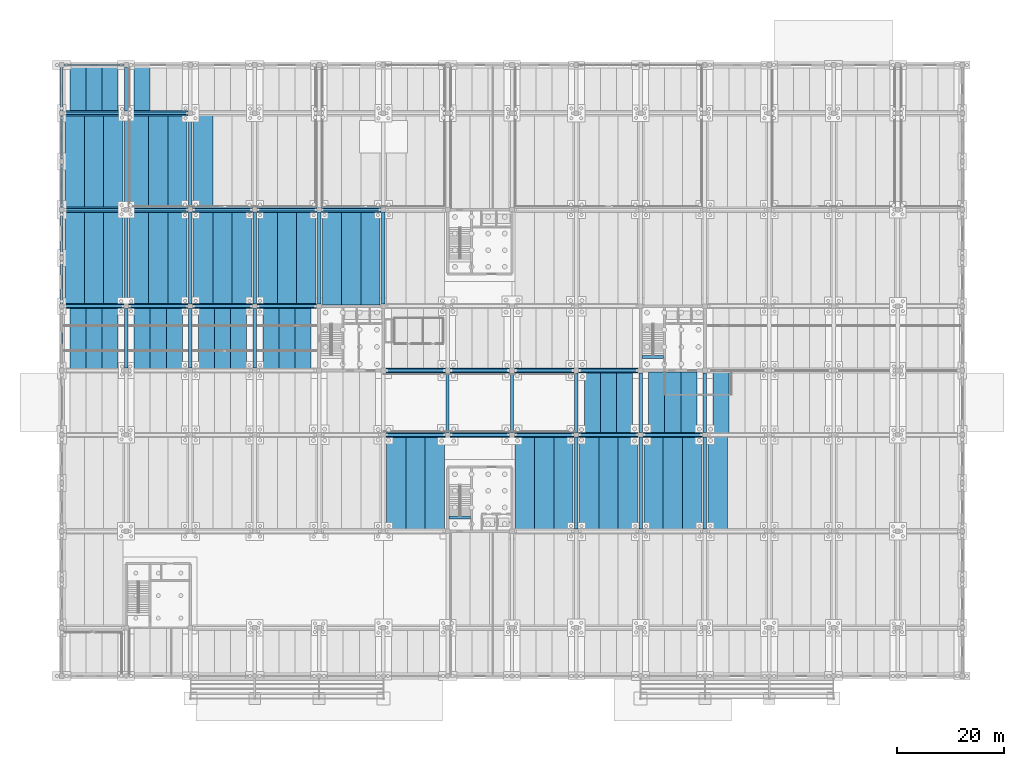
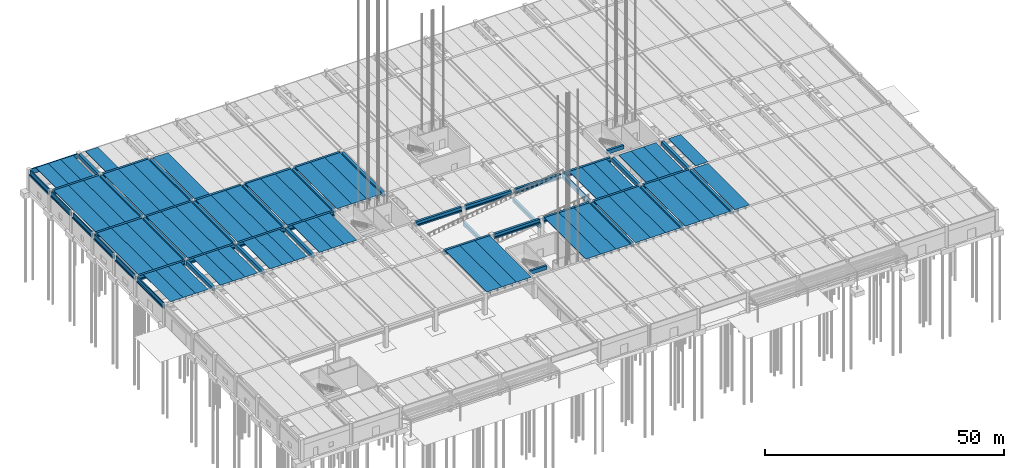
# One storey, part 14 of 59: 106 beams.
"""IFC4 building model written with IfcOpenShell, lengths in metres."""

from ifc_helpers import new_model, si_unit, direction, frame, origin, origin_2d, place, context, subcontext, project, spatial, polyline, rectangle, outline, extrude, material, material_profile, profile_set, type_object, element, save


model = new_model("IFC4")

# Units and contexts
model_context = context("Model", 3, precision=1e-05, world=origin(), true_north=direction((0.0, 1.0)))
body_context = subcontext(model_context, "Body", "Model", "MODEL_VIEW")
ifc_project = project(units=[si_unit("LENGTHUNIT", "METRE"), si_unit("AREAUNIT", "SQUARE_METRE"), si_unit("VOLUMEUNIT", "CUBIC_METRE"), si_unit("PLANEANGLEUNIT", "RADIAN"), si_unit("MASSUNIT", "GRAM", prefix="KILO")], contexts=[model_context])

# Site, building, storey
site_placement = place(None, origin())
site = spatial("IfcSite", under=ifc_project, at=site_placement, CompositionType="ELEMENT")
building_placement = place(site_placement, origin())
building = spatial("IfcBuilding", under=site, at=building_placement, Name="Girod Span Mobility Hub", CompositionType="ELEMENT")
storey_placement = place(building_placement, origin())
storey = spatial("IfcBuildingStorey", under=building, at=storey_placement, Name="L00", CompositionType="ELEMENT", Elevation=0.0)

# Beams
ifc_material_1 = material(Name="Concrete C50/60", Category="concrete")
ifc_material_profile_1 = material_profile(ifc_material_1, outline(polyline([(-1.5, 0.35009765625), (-1.5, 0.2548828125), (-0.840087890625, 0.2548828125), (-0.81494140625, -0.35009765625), (-0.68505859375, -0.35009765625), (-0.659912109375, 0.2548828125), (0.659912109375, 0.2548828125), (0.68505859375, -0.35009765625), (0.81494140625, -0.35009765625), (0.840087890625, 0.2548828125), (1.5, 0.2548828125), (1.5, 0.35009765625), (-1.5, 0.35009765625)])), Name="DT-3000X700")
ifc_profile_set_1 = profile_set([ifc_material_profile_1], Name="Concrete C50/60")
beam_type_1 = type_object("IfcBeamType", Name="BM-DT-3000X700", PredefinedType="JOIST", material=ifc_profile_set_1)
for number, where, z_axis, x_axis, name in (
    (1, (3.0, 57.27197265625, 4.85009765625), (0.0, 1.0, 0.0), (-1.0, 0.0, 0.0), "Double-Tee Deck 1/E-1 L00"),
    (2, (6.0, 57.27197265625, 4.85009765625), (0.0, 1.0, 0.0), (-1.0, 0.0, 0.0), "Double-Tee Deck 1/E-2 L00"),
    (3, (9.0, 57.27197265625, 4.85009765625), (0.0, 1.0, 0.0), (-1.0, 0.0, 0.0), "Double-Tee Deck 1/E-3 L00"),
):
    element("IfcBeam", number, at=place(storey_placement, frame(where, z_axis=z_axis, x_axis=x_axis)), inside=storey, type_object=beam_type_1, Name=name, PredefinedType="JOIST", context=body_context, shape_type="SweptSolid", body=[
        extrude(outline(polyline([(-1.5, 0.35009765625), (-1.5, 0.2548828125), (-0.840087890625, 0.2548828125), (-0.81494140625, -0.35009765625), (-0.68505859375, -0.35009765625), (-0.659912109375, 0.2548828125), (0.659912109375, 0.2548828125), (0.68505859375, -0.35009765625), (0.81494140625, -0.35009765625), (0.840087890625, 0.2548828125), (1.5, 0.2548828125), (1.5, 0.35009765625), (-1.5, 0.35009765625)])), origin(), (0.0, 0.0, 1.0), 11.4560546875),
    ])
for number, where, z_axis, x_axis, name in (
    (4, (3.0, 105.27197265625, 4.85009765625), (0.0, 1.0, 0.0), (-1.0, 0.0, 0.0), "Double-Tee Deck 1/H-1 L00"),
    (5, (6.0, 105.27197265625, 4.85009765625), (0.0, 1.0, 0.0), (-1.0, 0.0, 0.0), "Double-Tee Deck 1/H-2 L00"),
    (6, (9.0, 105.27197265625, 4.85009765625), (0.0, 1.0, 0.0), (-1.0, 0.0, 0.0), "Double-Tee Deck 1/H-3 L00"),
):
    element("IfcBeam", number, at=place(storey_placement, frame(where, z_axis=z_axis, x_axis=x_axis)), inside=storey, type_object=beam_type_1, Name=name, PredefinedType="JOIST", context=body_context, shape_type="SweptSolid", body=[
        extrude(outline(polyline([(-1.5, 0.35009765625), (-1.5, 0.2548828125), (-0.840087890625, 0.2548828125), (-0.81494140625, -0.35009765625), (-0.68505859375, -0.35009765625), (-0.659912109375, 0.2548828125), (0.659912109375, 0.2548828125), (0.68505859375, -0.35009765625), (0.81494140625, -0.35009765625), (0.840087890625, 0.2548828125), (1.5, 0.2548828125), (1.5, 0.35009765625), (-1.5, 0.35009765625)])), origin(), (0.0, 0.0, 1.0), 8.506103515625),
    ])
for number, where, z_axis, x_axis, name in (
    (7, (15.0, 57.27197265625, 4.85009765625), (0.0, 1.0, 0.0), (-1.0, 0.0, 0.0), "Double-Tee Deck 2/E-1 L00"),
    (8, (18.0, 57.27197265625, 4.85009765625), (0.0, 1.0, 0.0), (-1.0, 0.0, 0.0), "Double-Tee Deck 2/E-2 L00"),
    (9, (21.0, 57.27197265625, 4.85009765625), (0.0, 1.0, 0.0), (-1.0, 0.0, 0.0), "Double-Tee Deck 2/E-3 L00"),
):
    element("IfcBeam", number, at=place(storey_placement, frame(where, z_axis=z_axis, x_axis=x_axis)), inside=storey, type_object=beam_type_1, Name=name, PredefinedType="JOIST", context=body_context, shape_type="SweptSolid", body=[
        extrude(outline(polyline([(-1.5, 0.35009765625), (-1.5, 0.2548828125), (-0.840087890625, 0.2548828125), (-0.81494140625, -0.35009765625), (-0.68505859375, -0.35009765625), (-0.659912109375, 0.2548828125), (0.659912109375, 0.2548828125), (0.68505859375, -0.35009765625), (0.81494140625, -0.35009765625), (0.840087890625, 0.2548828125), (1.5, 0.2548828125), (1.5, 0.35009765625), (-1.5, 0.35009765625)])), origin(), (0.0, 0.0, 1.0), 11.4560546875),
    ])
beam_1_placement = place(storey_placement, frame((15.0, 105.27197265625, 4.85009765625), z_axis=(0.0, 1.0, 0.0), x_axis=(-1.0, 0.0, 0.0)))
element("IfcBeam", 10, at=beam_1_placement, inside=storey, type_object=beam_type_1, Name="Double-Tee Deck 2/H-1 L00", PredefinedType="JOIST", context=body_context, shape_type="SweptSolid", body=[
    extrude(outline(polyline([(-1.5, 0.35009765625), (-1.5, 0.2548828125), (-0.840087890625, 0.2548828125), (-0.81494140625, -0.35009765625), (-0.68505859375, -0.35009765625), (-0.659912109375, 0.2548828125), (0.659912109375, 0.2548828125), (0.68505859375, -0.35009765625), (0.81494140625, -0.35009765625), (0.840087890625, 0.2548828125), (1.5, 0.2548828125), (1.5, 0.35009765625), (-1.5, 0.35009765625)])), origin(), (0.0, 0.0, 1.0), 8.506103515625),
])
for number, where, z_axis, x_axis, name in (
    (11, (27.0, 57.27197265625, 4.85009765625), (0.0, 1.0, 0.0), (-1.0, 0.0, 0.0), "Double-Tee Deck 3/E-1 L00"),
    (12, (30.0, 57.27197265625, 4.85009765625), (0.0, 1.0, 0.0), (-1.0, 0.0, 0.0), "Double-Tee Deck 3/E-2 L00"),
    (13, (33.0, 57.27197265625, 4.85009765625), (0.0, 1.0, 0.0), (-1.0, 0.0, 0.0), "Double-Tee Deck 3/E-3 L00"),
    (14, (39.0, 57.27197265625, 4.85009765625), (0.0, 1.0, 0.0), (-1.0, 0.0, 0.0), "Double-Tee Deck 4/E-1 L00"),
    (15, (42.0, 57.27197265625, 4.85009765625), (0.0, 1.0, 0.0), (-1.0, 0.0, 0.0), "Double-Tee Deck 4/E-2 L00"),
    (16, (45.0, 57.27197265625, 4.85009765625), (0.0, 1.0, 0.0), (-1.0, 0.0, 0.0), "Double-Tee Deck 4/E-3 L00"),
    (17, (99.0, 45.27197265625, 4.85009765625), (0.0, 1.0, 0.0), (-1.0, 0.0, 0.0), "Double-Tee Deck 9/D-1 L00"),
    (18, (102.0, 45.27197265625, 4.85009765625), (0.0, 1.0, 0.0), (-1.0, 0.0, 0.0), "Double-Tee Deck 9/D-2 L00"),
    (19, (105.0, 45.27197265625, 4.85009765625), (0.0, 1.0, 0.0), (-1.0, 0.0, 0.0), "Double-Tee Deck 9/D-3 L00"),
):
    element("IfcBeam", number, at=place(storey_placement, frame(where, z_axis=z_axis, x_axis=x_axis)), inside=storey, type_object=beam_type_1, Name=name, PredefinedType="JOIST", context=body_context, shape_type="SweptSolid", body=[
        extrude(outline(polyline([(-1.5, 0.35009765625), (-1.5, 0.2548828125), (-0.840087890625, 0.2548828125), (-0.81494140625, -0.35009765625), (-0.68505859375, -0.35009765625), (-0.659912109375, 0.2548828125), (0.659912109375, 0.2548828125), (0.68505859375, -0.35009765625), (0.81494140625, -0.35009765625), (0.840087890625, 0.2548828125), (1.5, 0.2548828125), (1.5, 0.35009765625), (-1.5, 0.35009765625)])), origin(), (0.0, 0.0, 1.0), 11.4560546875),
    ])
for number, where, z_axis, x_axis, name in (
    (20, (111.0, 45.27197265625, 4.85009765625), (0.0, 1.0, 0.0), (-1.0, 0.0, 0.0), "Double-Tee Deck 10/D-1 L00"),
    (21, (114.0, 45.27197265625, 4.85009765625), (0.0, 1.0, 0.0), (-1.0, 0.0, 0.0), "Double-Tee Deck 10/D-2 L00"),
    (22, (117.0, 45.27197265625, 4.85009765625), (0.0, 1.0, 0.0), (-1.0, 0.0, 0.0), "Double-Tee Deck 10/D-3 L00"),
):
    element("IfcBeam", number, at=place(storey_placement, frame(where, z_axis=z_axis, x_axis=x_axis)), inside=storey, type_object=beam_type_1, Name=name, PredefinedType="JOIST", context=body_context, shape_type="SweptSolid", body=[
        extrude(outline(polyline([(-1.5, 0.35009765625), (-1.5, 0.2548828125), (-0.840087890625, 0.2548828125), (-0.81494140625, -0.35009765625), (-0.68505859375, -0.35009765625), (-0.659912109375, 0.2548828125), (0.659912109375, 0.2548828125), (0.68505859375, -0.35009765625), (0.81494140625, -0.35009765625), (0.840087890625, 0.2548828125), (1.5, 0.2548828125), (1.5, 0.35009765625), (-1.5, 0.35009765625)])), origin(), (0.0, 0.0, 1.0), 11.48095703125),
    ])
beam_2_placement = place(storey_placement, frame((123.0, 45.27197265625, 4.85009765625), z_axis=(0.0, 1.0, 0.0), x_axis=(-1.0, 0.0, 0.0)))
element("IfcBeam", 23, at=beam_2_placement, inside=storey, type_object=beam_type_1, Name="Double-Tee Deck 11/D-1 L00", PredefinedType="JOIST", context=body_context, shape_type="SweptSolid", body=[
    extrude(outline(polyline([(-1.5, 0.35009765625), (-1.5, 0.2548828125), (-0.840087890625, 0.2548828125), (-0.81494140625, -0.35009765625), (-0.68505859375, -0.35009765625), (-0.659912109375, 0.2548828125), (0.659912109375, 0.2548828125), (0.68505859375, -0.35009765625), (0.81494140625, -0.35009765625), (0.840087890625, 0.2548828125), (1.5, 0.2548828125), (1.5, 0.35009765625), (-1.5, 0.35009765625)])), origin(), (0.0, 0.0, 1.0), 11.4560546875),
])
ifc_material_2 = material(Name="Concrete C50/60", Category="concrete")
ifc_material_profile_2 = material_profile(ifc_material_2, outline(polyline([(-1.800048828125, 0.47509765625), (-1.800048828125, 0.364990234375), (-1.010009765625, 0.364990234375), (-0.97509765625, -0.47509765625), (-0.824951171875, -0.47509765625), (-0.7900390625, 0.364990234375), (0.7900390625, 0.364990234375), (0.824951171875, -0.47509765625), (0.97509765625, -0.47509765625), (1.010009765625, 0.364990234375), (1.800048828125, 0.364990234375), (1.800048828125, 0.47509765625), (-1.800048828125, 0.47509765625)])), Name="DT-3600X950")
ifc_profile_set_2 = profile_set([ifc_material_profile_2], Name="Concrete C50/60")
beam_type_2 = type_object("IfcBeamType", Name="BM-DT-3600X950", PredefinedType="JOIST", material=ifc_profile_set_2)
for number, where, z_axis, x_axis, name in (
    (24, (2.39990234375, 69.27197265625, 4.72509765625), (0.0, 1.0, 0.0), (-1.0, 0.0, 0.0), "Double-Tee Deck 1/F-1 L00"),
    (25, (6.0, 69.27197265625, 4.72509765625), (0.0, 1.0, 0.0), (-1.0, 0.0, 0.0), "Double-Tee Deck 1/F-2 L00"),
    (26, (9.60009765625, 69.27197265625, 4.72509765625), (0.0, 1.0, 0.0), (-1.0, 0.0, 0.0), "Double-Tee Deck 1/F-3 L00"),
    (27, (2.39990234375, 87.27197265625, 4.72509765625), (0.0, 1.0, 0.0), (-1.0, 0.0, 0.0), "Double-Tee Deck 1/G-1 L00"),
    (28, (6.0, 87.27197265625, 4.72509765625), (0.0, 1.0, 0.0), (-1.0, 0.0, 0.0), "Double-Tee Deck 1/G-2 L00"),
    (29, (9.60009765625, 87.27197265625, 4.72509765625), (0.0, 1.0, 0.0), (-1.0, 0.0, 0.0), "Double-Tee Deck 1/G-3 L00"),
    (30, (14.39990234375, 69.27197265625, 4.72509765625), (0.0, 1.0, 0.0), (-1.0, 0.0, 0.0), "Double-Tee Deck 2/F-1 L00"),
    (31, (18.0, 69.27197265625, 4.72509765625), (0.0, 1.0, 0.0), (-1.0, 0.0, 0.0), "Double-Tee Deck 2/F-2 L00"),
    (32, (21.60009765625, 69.27197265625, 4.72509765625), (0.0, 1.0, 0.0), (-1.0, 0.0, 0.0), "Double-Tee Deck 2/F-3 L00"),
    (33, (14.39990234375, 87.27197265625, 4.72509765625), (0.0, 1.0, 0.0), (-1.0, 0.0, 0.0), "Double-Tee Deck 2/G-1 L00"),
    (34, (18.0, 87.27197265625, 4.72509765625), (0.0, 1.0, 0.0), (-1.0, 0.0, 0.0), "Double-Tee Deck 2/G-2 L00"),
    (35, (21.60009765625, 87.27197265625, 4.72509765625), (0.0, 1.0, 0.0), (-1.0, 0.0, 0.0), "Double-Tee Deck 2/G-3 L00"),
    (36, (26.39990234375, 69.27197265625, 4.72509765625), (0.0, 1.0, 0.0), (-1.0, 0.0, 0.0), "Double-Tee Deck 3/F-1 L00"),
    (37, (30.0, 69.27197265625, 4.72509765625), (0.0, 1.0, 0.0), (-1.0, 0.0, 0.0), "Double-Tee Deck 3/F-2 L00"),
    (38, (33.60009765625, 69.27197265625, 4.72509765625), (0.0, 1.0, 0.0), (-1.0, 0.0, 0.0), "Double-Tee Deck 3/F-3 L00"),
    (39, (26.39990234375, 87.27197265625, 4.72509765625), (0.0, 1.0, 0.0), (-1.0, 0.0, 0.0), "Double-Tee Deck 3/G-1 L00"),
    (40, (38.39990234375, 69.27197265625, 4.72509765625), (0.0, 1.0, 0.0), (-1.0, 0.0, 0.0), "Double-Tee Deck 4/F-1 L00"),
    (41, (42.0, 69.27197265625, 4.72509765625), (0.0, 1.0, 0.0), (-1.0, 0.0, 0.0), "Double-Tee Deck 4/F-2 L00"),
    (42, (45.60009765625, 69.27197265625, 4.72509765625), (0.0, 1.0, 0.0), (-1.0, 0.0, 0.0), "Double-Tee Deck 4/F-3 L00"),
):
    element("IfcBeam", number, at=place(storey_placement, frame(where, z_axis=z_axis, x_axis=x_axis)), inside=storey, type_object=beam_type_2, Name=name, PredefinedType="JOIST", context=body_context, shape_type="SweptSolid", body=[
        extrude(outline(polyline([(-1.800048828125, 0.47509765625), (-1.800048828125, 0.364990234375), (-1.010009765625, 0.364990234375), (-0.97509765625, -0.47509765625), (-0.824951171875, -0.47509765625), (-0.7900390625, 0.364990234375), (0.7900390625, 0.364990234375), (0.824951171875, -0.47509765625), (0.97509765625, -0.47509765625), (1.010009765625, 0.364990234375), (1.800048828125, 0.364990234375), (1.800048828125, 0.47509765625), (-1.800048828125, 0.47509765625)])), origin(), (0.0, 0.0, 1.0), 17.4560546875),
    ])
for number, where, z_axis, x_axis, name in (
    (43, (50.39990234375, 69.2470703125, 4.72509765625), (0.0, 1.0, 0.0), (-1.0, 0.0, 0.0), "Double-Tee Deck 5/F-1 L00"),
    (44, (54.0, 69.2470703125, 4.72509765625), (0.0, 1.0, 0.0), (-1.0, 0.0, 0.0), "Double-Tee Deck 5/F-2 L00"),
    (45, (57.60009765625, 69.2470703125, 4.72509765625), (0.0, 1.0, 0.0), (-1.0, 0.0, 0.0), "Double-Tee Deck 5/F-3 L00"),
):
    element("IfcBeam", number, at=place(storey_placement, frame(where, z_axis=z_axis, x_axis=x_axis)), inside=storey, type_object=beam_type_2, Name=name, PredefinedType="JOIST", context=body_context, shape_type="SweptSolid", body=[
        extrude(outline(polyline([(-1.800048828125, 0.47509765625), (-1.800048828125, 0.364990234375), (-1.010009765625, 0.364990234375), (-0.97509765625, -0.47509765625), (-0.824951171875, -0.47509765625), (-0.7900390625, 0.364990234375), (0.7900390625, 0.364990234375), (0.824951171875, -0.47509765625), (0.97509765625, -0.47509765625), (1.010009765625, 0.364990234375), (1.800048828125, 0.364990234375), (1.800048828125, 0.47509765625), (-1.800048828125, 0.47509765625)])), origin(), (0.0, 0.0, 1.0), 17.48095703125),
    ])
for number, where, z_axis, x_axis, name in (
    (46, (62.39990234375, 27.27197265625, 4.72509765625), (0.0, 1.0, 0.0), (-1.0, 0.0, 0.0), "Double-Tee Deck 6/C-1 L00"),
    (47, (66.0, 27.27197265625, 4.72509765625), (0.0, 1.0, 0.0), (-1.0, 0.0, 0.0), "Double-Tee Deck 6/C-2 L00"),
    (48, (69.60009765625, 27.27197265625, 4.72509765625), (0.0, 1.0, 0.0), (-1.0, 0.0, 0.0), "Double-Tee Deck 6/C-3 L00"),
    (49, (86.39990234375, 27.27197265625, 4.72509765625), (0.0, 1.0, 0.0), (-1.0, 0.0, 0.0), "Double-Tee Deck 8/C-1 L00"),
    (50, (90.0, 27.27197265625, 4.72509765625), (0.0, 1.0, 0.0), (-1.0, 0.0, 0.0), "Double-Tee Deck 8/C-2 L00"),
    (51, (93.60009765625, 27.27197265625, 4.72509765625), (0.0, 1.0, 0.0), (-1.0, 0.0, 0.0), "Double-Tee Deck 8/C-3 L00"),
    (52, (98.39990234375, 27.27197265625, 4.72509765625), (0.0, 1.0, 0.0), (-1.0, 0.0, 0.0), "Double-Tee Deck 9/C-1 L00"),
    (53, (102.0, 27.27197265625, 4.72509765625), (0.0, 1.0, 0.0), (-1.0, 0.0, 0.0), "Double-Tee Deck 9/C-2 L00"),
    (54, (105.60009765625, 27.27197265625, 4.72509765625), (0.0, 1.0, 0.0), (-1.0, 0.0, 0.0), "Double-Tee Deck 9/C-3 L00"),
    (55, (110.39990234375, 27.27197265625, 4.72509765625), (0.0, 1.0, 0.0), (-1.0, 0.0, 0.0), "Double-Tee Deck 10/C-1 L00"),
    (56, (114.0, 27.27197265625, 4.72509765625), (0.0, 1.0, 0.0), (-1.0, 0.0, 0.0), "Double-Tee Deck 10/C-2 L00"),
    (57, (117.60009765625, 27.27197265625, 4.72509765625), (0.0, 1.0, 0.0), (-1.0, 0.0, 0.0), "Double-Tee Deck 10/C-3 L00"),
    (58, (122.39990234375, 27.27197265625, 4.72509765625), (0.0, 1.0, 0.0), (-1.0, 0.0, 0.0), "Double-Tee Deck 11/C-1 L00"),
):
    element("IfcBeam", number, at=place(storey_placement, frame(where, z_axis=z_axis, x_axis=x_axis)), inside=storey, type_object=beam_type_2, Name=name, PredefinedType="JOIST", context=body_context, shape_type="SweptSolid", body=[
        extrude(outline(polyline([(-1.800048828125, 0.47509765625), (-1.800048828125, 0.364990234375), (-1.010009765625, 0.364990234375), (-0.97509765625, -0.47509765625), (-0.824951171875, -0.47509765625), (-0.7900390625, 0.364990234375), (0.7900390625, 0.364990234375), (0.824951171875, -0.47509765625), (0.97509765625, -0.47509765625), (1.010009765625, 0.364990234375), (1.800048828125, 0.364990234375), (1.800048828125, 0.47509765625), (-1.800048828125, 0.47509765625)])), origin(), (0.0, 0.0, 1.0), 17.4560546875),
    ])
ifc_material_3 = material(Name="Concrete C50/60", Category="concrete")
ifc_material_profile_3 = material_profile(ifc_material_3, outline(polyline([(-0.47509765625, -0.52490234375), (0.47509765625, -0.52490234375), (0.47509765625, -0.175048828125), (0.27490234375, -0.175048828125), (0.27490234375, 0.52490234375), (-0.27490234375, 0.52490234375), (-0.27490234375, -0.175048828125), (-0.47509765625, -0.175048828125), (-0.47509765625, -0.52490234375)])), Name="IT-950X1050")
ifc_profile_set_3 = profile_set([ifc_material_profile_3], Name="Concrete C50/60")
beam_type_3 = type_object("IfcBeamType", Name="BM-IT-950X1050", PredefinedType="T_BEAM", material=ifc_profile_set_3)
for number, where, z_axis, x_axis, name in (
    (59, (60.447021484375, 45.0, 4.675048828125), (1.0, 0.0, 0.0), (0.0, 1.0, 0.0), "Girder 6-7/D L00"),
    (60, (72.447021484375, 45.0, 4.675048828125), (1.0, 0.0, 0.0), (0.0, 1.0, 0.0), "Girder 7-8/D L00"),
    (61, (84.447021484375, 45.0, 4.675048828125), (1.0, 0.0, 0.0), (0.0, 1.0, 0.0), "Girder 8-9/D L00"),
    (62, (96.447021484375, 45.0, 4.675048828125), (1.0, 0.0, 0.0), (0.0, 1.0, 0.0), "Girder 9-10/D L00"),
    (63, (108.447021484375, 45.0, 4.675048828125), (1.0, 0.0, 0.0), (0.0, 1.0, 0.0), "Girder 10-11/D L00"),
    (64, (60.447021484375, 57.0, 4.675048828125), (1.0, 0.0, 0.0), (0.0, 1.0, 0.0), "Girder 6-7/E L00"),
    (65, (72.447021484375, 57.0, 4.675048828125), (1.0, 0.0, 0.0), (0.0, 1.0, 0.0), "Girder 7-8/E L00"),
    (66, (84.447021484375, 57.0, 4.675048828125), (1.0, 0.0, 0.0), (0.0, 1.0, 0.0), "Girder 8-9/E L00"),
    (67, (96.447021484375, 57.0, 4.675048828125), (1.0, 0.0, 0.0), (0.0, 1.0, 0.0), "Girder 9-10/E L00"),
):
    element("IfcBeam", number, at=place(storey_placement, frame(where, z_axis=z_axis, x_axis=x_axis)), inside=storey, type_object=beam_type_3, Name=name, PredefinedType="T_BEAM", context=body_context, shape_type="SweptSolid", body=[
        extrude(outline(polyline([(-0.47509765625, -0.52490234375), (0.47509765625, -0.52490234375), (0.47509765625, -0.175048828125), (0.27490234375, -0.175048828125), (0.27490234375, 0.52490234375), (-0.27490234375, 0.52490234375), (-0.27490234375, -0.175048828125), (-0.47509765625, -0.175048828125), (-0.47509765625, -0.52490234375)])), origin(), (0.0, 0.0, 1.0), 11.10595703125),
    ])
for number, where, z_axis, x_axis, name in (
    (68, (0.422119140625, 69.0, 4.675048828125), (1.0, 0.0, 0.0), (0.0, 1.0, 0.0), "Girder 1-2/F L00"),
    (69, (12.422119140625, 69.0, 4.675048828125), (1.0, 0.0, 0.0), (0.0, 1.0, 0.0), "Girder 2-3/F L00"),
    (70, (24.422119140625, 69.0, 4.675048828125), (1.0, 0.0, 0.0), (0.0, 1.0, 0.0), "Girder 3-4/F L00"),
):
    element("IfcBeam", number, at=place(storey_placement, frame(where, z_axis=z_axis, x_axis=x_axis)), inside=storey, type_object=beam_type_3, Name=name, PredefinedType="T_BEAM", context=body_context, shape_type="SweptSolid", body=[
        extrude(outline(polyline([(-0.47509765625, -0.52490234375), (0.47509765625, -0.52490234375), (0.47509765625, -0.175048828125), (0.27490234375, -0.175048828125), (0.27490234375, 0.52490234375), (-0.27490234375, 0.52490234375), (-0.27490234375, -0.175048828125), (-0.47509765625, -0.175048828125), (-0.47509765625, -0.52490234375)])), origin(), (0.0, 0.0, 1.0), 11.15576171875),
    ])
beam_3_placement = place(storey_placement, frame((36.422119140625, 69.0, 4.675048828125), z_axis=(1.0, 0.0, 0.0), x_axis=(0.0, 1.0, 0.0)))
element("IfcBeam", 71, at=beam_3_placement, inside=storey, type_object=beam_type_3, Name="Girder 4-5/F L00", PredefinedType="T_BEAM", context=body_context, shape_type="SweptSolid", body=[
    extrude(outline(polyline([(-0.47509765625, -0.52490234375), (0.47509765625, -0.52490234375), (0.47509765625, -0.175048828125), (0.27490234375, -0.175048828125), (0.27490234375, 0.52490234375), (-0.27490234375, 0.52490234375), (-0.27490234375, -0.175048828125), (-0.47509765625, -0.175048828125), (-0.47509765625, -0.52490234375)])), origin(), (0.0, 0.0, 1.0), 11.130859375),
])
for number, where, z_axis, x_axis, name in (
    (72, (0.422119140625, 87.0, 4.675048828125), (1.0, 0.0, 0.0), (0.0, 1.0, 0.0), "Girder 1-2/G L00"),
    (73, (12.422119140625, 87.0, 4.675048828125), (1.0, 0.0, 0.0), (0.0, 1.0, 0.0), "Girder 2-3/G L00"),
    (74, (24.422119140625, 87.0, 4.675048828125), (1.0, 0.0, 0.0), (0.0, 1.0, 0.0), "Girder 3-4/G L00"),
    (75, (36.422119140625, 87.0, 4.675048828125), (1.0, 0.0, 0.0), (0.0, 1.0, 0.0), "Girder 4-5/G L00"),
    (76, (48.422119140625, 87.0, 4.675048828125), (1.0, 0.0, 0.0), (0.0, 1.0, 0.0), "Girder 5-6/G L00"),
    (77, (0.422119140625, 105.0, 4.675048828125), (1.0, 0.0, 0.0), (0.0, 1.0, 0.0), "Girder 1-2/H L00"),
    (78, (12.422119140625, 105.0, 4.675048828125), (1.0, 0.0, 0.0), (0.0, 1.0, 0.0), "Girder 2-3/H L00"),
):
    element("IfcBeam", number, at=place(storey_placement, frame(where, z_axis=z_axis, x_axis=x_axis)), inside=storey, type_object=beam_type_3, Name=name, PredefinedType="T_BEAM", context=body_context, shape_type="SweptSolid", body=[
        extrude(outline(polyline([(-0.47509765625, -0.52490234375), (0.47509765625, -0.52490234375), (0.47509765625, -0.175048828125), (0.27490234375, -0.175048828125), (0.27490234375, 0.52490234375), (-0.27490234375, 0.52490234375), (-0.27490234375, -0.175048828125), (-0.47509765625, -0.175048828125), (-0.47509765625, -0.52490234375)])), origin(), (0.0, 0.0, 1.0), 11.15576171875),
    ])
ifc_material_4 = material(Name="Concrete C40/50", Category="concrete")
ifc_material_profile_4 = material_profile(ifc_material_4, rectangle(XDim=0.550048828125, YDim=0.949951171875, at=origin_2d()), Name="RK-550X950")
ifc_profile_set_4 = profile_set([ifc_material_profile_4], Name="Concrete C40/50")
beam_type_4 = type_object("IfcBeamType", Name="BM-RK-550X950", PredefinedType="BEAM", material=ifc_profile_set_4)
beam_4_placement = place(storey_placement, frame((108.2470703125, 59.550048828125, 4.72509765625), z_axis=(1.0, 0.0, 0.0), x_axis=(0.0, 1.0, 0.0)))
element("IfcBeam", 79, at=beam_4_placement, inside=storey, type_object=beam_type_4, Name="Stair ST-2 Landing Header Beam L00", PredefinedType="BEAM", context=body_context, shape_type="SweptSolid", body=[
    extrude(rectangle(XDim=0.550048828125, YDim=0.949951171875, at=origin_2d()), origin(), (0.0, 0.0, 1.0), 4.055908203125),
])
beam_5_placement = place(storey_placement, frame((72.221923828125, 29.550048828125, 4.72509765625), z_axis=(1.0, 0.0, 0.0), x_axis=(0.0, 1.0, 0.0)))
element("IfcBeam", 80, at=beam_5_placement, inside=storey, type_object=beam_type_4, Name="Stair ST-3 Landing Header Beam L00", PredefinedType="BEAM", context=body_context, shape_type="SweptSolid", body=[
    extrude(rectangle(XDim=0.550048828125, YDim=0.949951171875, at=origin_2d()), origin(), (0.0, 0.0, 1.0), 4.0810546875),
])
for number, where, z_axis, x_axis, name in (
    (81, (72.0, 45.447021484375, 1.044921875), (0.0, 1.0, 0.0), (-1.0, 0.0, 0.0), "Vehicular Ramp Support Beam X=72 L00"),
    (82, (84.0, 45.447021484375, 2.844970703125), (0.0, 1.0, 0.0), (-1.0, 0.0, 0.0), "Vehicular Ramp Support Beam X=84 L00"),
):
    element("IfcBeam", number, at=place(storey_placement, frame(where, z_axis=z_axis, x_axis=x_axis)), inside=storey, type_object=beam_type_4, Name=name, PredefinedType="BEAM", context=body_context, shape_type="SweptSolid", body=[
        extrude(rectangle(XDim=0.550048828125, YDim=0.949951171875, at=origin_2d()), origin(), (0.0, 0.0, 1.0), 11.10595703125),
    ])
ifc_material_5 = material(Name="Concrete C40/50", Category="concrete")
ifc_material_profile_5 = material_profile(ifc_material_5, outline(polyline([(-0.22509765625, -0.675048828125), (0.22509765625, -0.675048828125), (0.22509765625, -0.324951171875), (0.02490234375, -0.324951171875), (0.02490234375, 0.675048828125), (-0.22509765625, 0.675048828125), (-0.22509765625, -0.675048828125)])), Name="SP-450X1350")
ifc_profile_set_5 = profile_set([ifc_material_profile_5], Name="Concrete C40/50")
beam_type_5 = type_object("IfcBeamType", Name="BM-SP-450X1350", PredefinedType="SPANDREL", material=ifc_profile_set_5)
for number, where, z_axis, x_axis, name in (
    (83, (0.422119140625, 114.0, 4.52490234375), (1.0, 0.0, 0.0), (0.0, 1.0, 0.0), "Girder 1-2/J L00"),
    (84, (0.0, 57.422119140625, 4.52490234375), (0.0, 1.0, 0.0), (-1.0, 0.0, 0.0), "Tie Girder 1/E-F L00"),
):
    element("IfcBeam", number, at=place(storey_placement, frame(where, z_axis=z_axis, x_axis=x_axis)), inside=storey, type_object=beam_type_5, Name=name, PredefinedType="SPANDREL", context=body_context, shape_type="SweptSolid", body=[
        extrude(outline(polyline([(-0.22509765625, -0.675048828125), (0.22509765625, -0.675048828125), (0.22509765625, -0.324951171875), (0.02490234375, -0.324951171875), (0.02490234375, 0.675048828125), (-0.22509765625, 0.675048828125), (-0.22509765625, -0.675048828125)])), origin(), (0.0, 0.0, 1.0), 11.15576171875),
    ])
for number, where, z_axis, x_axis, name in (
    (85, (0.0, 69.422119140625, 4.52490234375), (0.0, 1.0, 0.0), (-1.0, 0.0, 0.0), "Perimeter Spandrel 1/F-S L00"),
    (86, (0.0, 78.471923828125, 4.52490234375), (0.0, 1.0, 0.0), (-1.0, 0.0, 0.0), "Perimeter Spandrel 1/F-N L00"),
    (87, (0.0, 87.422119140625, 4.52490234375), (0.0, 1.0, 0.0), (-1.0, 0.0, 0.0), "Perimeter Spandrel 1/G-S L00"),
    (88, (0.0, 96.471923828125, 4.52490234375), (0.0, 1.0, 0.0), (-1.0, 0.0, 0.0), "Perimeter Spandrel 1/G-N L00"),
):
    element("IfcBeam", number, at=place(storey_placement, frame(where, z_axis=z_axis, x_axis=x_axis)), inside=storey, type_object=beam_type_5, Name=name, PredefinedType="SPANDREL", context=body_context, shape_type="SweptSolid", body=[
        extrude(outline(polyline([(-0.22509765625, -0.675048828125), (0.22509765625, -0.675048828125), (0.22509765625, -0.324951171875), (0.02490234375, -0.324951171875), (0.02490234375, 0.675048828125), (-0.22509765625, 0.675048828125), (-0.22509765625, -0.675048828125)])), origin(), (0.0, 0.0, 1.0), 8.10595703125),
    ])
beam_6_placement = place(storey_placement, frame((0.0, 105.422119140625, 4.52490234375), z_axis=(0.0, 1.0, 0.0), x_axis=(-1.0, 0.0, 0.0)))
element("IfcBeam", 89, at=beam_6_placement, inside=storey, type_object=beam_type_5, Name="Tie Girder 1/H-J L00", PredefinedType="SPANDREL", context=body_context, shape_type="SweptSolid", body=[
    extrude(outline(polyline([(-0.22509765625, -0.675048828125), (0.22509765625, -0.675048828125), (0.22509765625, -0.324951171875), (0.02490234375, -0.324951171875), (0.02490234375, 0.675048828125), (-0.22509765625, 0.675048828125), (-0.22509765625, -0.675048828125)])), origin(), (0.0, 0.0, 1.0), 8.15576171875),
])
ifc_material_6 = material(Name="Concrete C40/50", Category="concrete")
ifc_material_profile_6 = material_profile(ifc_material_6, rectangle(XDim=0.64990234375, YDim=1.0, at=origin_2d()), Name="TG-650X1000")
ifc_profile_set_6 = profile_set([ifc_material_profile_6], Name="Concrete C40/50")
beam_type_6 = type_object("IfcBeamType", Name="BM-TG-650X1000", PredefinedType="T_BEAM", material=ifc_profile_set_6)
beam_7_placement = place(storey_placement, frame((12.0, 57.422119140625, 4.699951171875), z_axis=(0.0, 1.0, 0.0), x_axis=(-1.0, 0.0, 0.0)))
element("IfcBeam", 90, at=beam_7_placement, inside=storey, type_object=beam_type_6, Name="Tie Girder 2/E-F L00", PredefinedType="T_BEAM", context=body_context, shape_type="SweptSolid", body=[
    extrude(rectangle(XDim=0.64990234375, YDim=1.0, at=origin_2d()), origin(), (0.0, 0.0, 1.0), 11.15576171875),
])
for number, where, z_axis, x_axis, name in (
    (91, (12.0, 69.422119140625, 4.699951171875), (0.0, 1.0, 0.0), (-1.0, 0.0, 0.0), "Tie Girder 2/F-G L00"),
    (92, (12.0, 87.422119140625, 4.699951171875), (0.0, 1.0, 0.0), (-1.0, 0.0, 0.0), "Tie Girder 2/G-H L00"),
):
    element("IfcBeam", number, at=place(storey_placement, frame(where, z_axis=z_axis, x_axis=x_axis)), inside=storey, type_object=beam_type_6, Name=name, PredefinedType="T_BEAM", context=body_context, shape_type="SweptSolid", body=[
        extrude(rectangle(XDim=0.64990234375, YDim=1.0, at=origin_2d()), origin(), (0.0, 0.0, 1.0), 17.15576171875),
    ])
beam_8_placement = place(storey_placement, frame((12.0, 105.422119140625, 4.699951171875), z_axis=(0.0, 1.0, 0.0), x_axis=(-1.0, 0.0, 0.0)))
element("IfcBeam", 93, at=beam_8_placement, inside=storey, type_object=beam_type_6, Name="Tie Girder 2/H-J L00", PredefinedType="T_BEAM", context=body_context, shape_type="SweptSolid", body=[
    extrude(rectangle(XDim=0.64990234375, YDim=1.0, at=origin_2d()), origin(), (0.0, 0.0, 1.0), 8.15576171875),
])
beam_9_placement = place(storey_placement, frame((24.0, 57.422119140625, 4.699951171875), z_axis=(0.0, 1.0, 0.0), x_axis=(-1.0, 0.0, 0.0)))
element("IfcBeam", 94, at=beam_9_placement, inside=storey, type_object=beam_type_6, Name="Tie Girder 3/E-F L00", PredefinedType="T_BEAM", context=body_context, shape_type="SweptSolid", body=[
    extrude(rectangle(XDim=0.64990234375, YDim=1.0, at=origin_2d()), origin(), (0.0, 0.0, 1.0), 11.15576171875),
])
for number, where, z_axis, x_axis, name in (
    (95, (24.0, 69.422119140625, 4.699951171875), (0.0, 1.0, 0.0), (-1.0, 0.0, 0.0), "Tie Girder 3/F-G L00"),
    (96, (24.0, 87.422119140625, 4.699951171875), (0.0, 1.0, 0.0), (-1.0, 0.0, 0.0), "Tie Girder 3/G-H L00"),
):
    element("IfcBeam", number, at=place(storey_placement, frame(where, z_axis=z_axis, x_axis=x_axis)), inside=storey, type_object=beam_type_6, Name=name, PredefinedType="T_BEAM", context=body_context, shape_type="SweptSolid", body=[
        extrude(rectangle(XDim=0.64990234375, YDim=1.0, at=origin_2d()), origin(), (0.0, 0.0, 1.0), 17.15576171875),
    ])
beam_10_placement = place(storey_placement, frame((36.0, 57.422119140625, 4.699951171875), z_axis=(0.0, 1.0, 0.0), x_axis=(-1.0, 0.0, 0.0)))
element("IfcBeam", 97, at=beam_10_placement, inside=storey, type_object=beam_type_6, Name="Tie Girder 4/E-F L00", PredefinedType="T_BEAM", context=body_context, shape_type="SweptSolid", body=[
    extrude(rectangle(XDim=0.64990234375, YDim=1.0, at=origin_2d()), origin(), (0.0, 0.0, 1.0), 11.15576171875),
])
beam_11_placement = place(storey_placement, frame((36.0, 69.422119140625, 4.699951171875), z_axis=(0.0, 1.0, 0.0), x_axis=(-1.0, 0.0, 0.0)))
element("IfcBeam", 98, at=beam_11_placement, inside=storey, type_object=beam_type_6, Name="Tie Girder 4/F-G L00", PredefinedType="T_BEAM", context=body_context, shape_type="SweptSolid", body=[
    extrude(rectangle(XDim=0.64990234375, YDim=1.0, at=origin_2d()), origin(), (0.0, 0.0, 1.0), 17.15576171875),
])
for number, where, z_axis, x_axis, name in (
    (99, (48.0, 69.447021484375, 4.699951171875), (0.0, 1.0, 0.0), (-1.0, 0.0, 0.0), "Tie Girder 5/F-G L00"),
    (100, (60.0, 69.447021484375, 4.699951171875), (0.0, 1.0, 0.0), (-1.0, 0.0, 0.0), "Tie Girder 6/F-G L00"),
    (101, (96.0, 27.422119140625, 4.699951171875), (0.0, 1.0, 0.0), (-1.0, 0.0, 0.0), "Tie Girder 9/C-D L00"),
):
    element("IfcBeam", number, at=place(storey_placement, frame(where, z_axis=z_axis, x_axis=x_axis)), inside=storey, type_object=beam_type_6, Name=name, PredefinedType="T_BEAM", context=body_context, shape_type="SweptSolid", body=[
        extrude(rectangle(XDim=0.64990234375, YDim=1.0, at=origin_2d()), origin(), (0.0, 0.0, 1.0), 17.130859375),
    ])
beam_12_placement = place(storey_placement, frame((96.0, 45.447021484375, 4.699951171875), z_axis=(0.0, 1.0, 0.0), x_axis=(-1.0, 0.0, 0.0)))
element("IfcBeam", 102, at=beam_12_placement, inside=storey, type_object=beam_type_6, Name="Tie Girder 9/D-E L00", PredefinedType="T_BEAM", context=body_context, shape_type="SweptSolid", body=[
    extrude(rectangle(XDim=0.64990234375, YDim=1.0, at=origin_2d()), origin(), (0.0, 0.0, 1.0), 11.10595703125),
])
beam_13_placement = place(storey_placement, frame((108.0, 27.422119140625, 4.699951171875), z_axis=(0.0, 1.0, 0.0), x_axis=(-1.0, 0.0, 0.0)))
element("IfcBeam", 103, at=beam_13_placement, inside=storey, type_object=beam_type_6, Name="Tie Girder 10/C-D L00", PredefinedType="T_BEAM", context=body_context, shape_type="SweptSolid", body=[
    extrude(rectangle(XDim=0.64990234375, YDim=1.0, at=origin_2d()), origin(), (0.0, 0.0, 1.0), 17.130859375),
])
beam_14_placement = place(storey_placement, frame((108.0, 45.447021484375, 4.699951171875), z_axis=(0.0, 1.0, 0.0), x_axis=(-1.0, 0.0, 0.0)))
element("IfcBeam", 104, at=beam_14_placement, inside=storey, type_object=beam_type_6, Name="Tie Girder 10/D-E L00", PredefinedType="T_BEAM", context=body_context, shape_type="SweptSolid", body=[
    extrude(rectangle(XDim=0.64990234375, YDim=1.0, at=origin_2d()), origin(), (0.0, 0.0, 1.0), 11.10595703125),
])
beam_15_placement = place(storey_placement, frame((120.0, 27.422119140625, 4.699951171875), z_axis=(0.0, 1.0, 0.0), x_axis=(-1.0, 0.0, 0.0)))
element("IfcBeam", 105, at=beam_15_placement, inside=storey, type_object=beam_type_6, Name="Tie Girder 11/C-D L00", PredefinedType="T_BEAM", context=body_context, shape_type="SweptSolid", body=[
    extrude(rectangle(XDim=0.64990234375, YDim=1.0, at=origin_2d()), origin(), (0.0, 0.0, 1.0), 17.130859375),
])
beam_16_placement = place(storey_placement, frame((120.0, 45.447021484375, 4.699951171875), z_axis=(0.0, 1.0, 0.0), x_axis=(-1.0, 0.0, 0.0)))
element("IfcBeam", 106, at=beam_16_placement, inside=storey, type_object=beam_type_6, Name="Tie Girder 11/D-E L00", PredefinedType="T_BEAM", context=body_context, shape_type="SweptSolid", body=[
    extrude(rectangle(XDim=0.64990234375, YDim=1.0, at=origin_2d()), origin(), (0.0, 0.0, 1.0), 11.10595703125),
])

save(model, "model.ifc")
